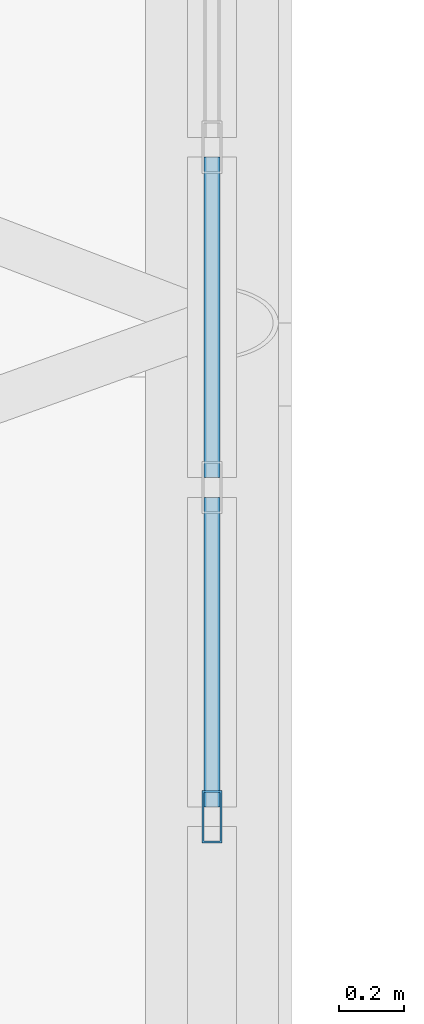
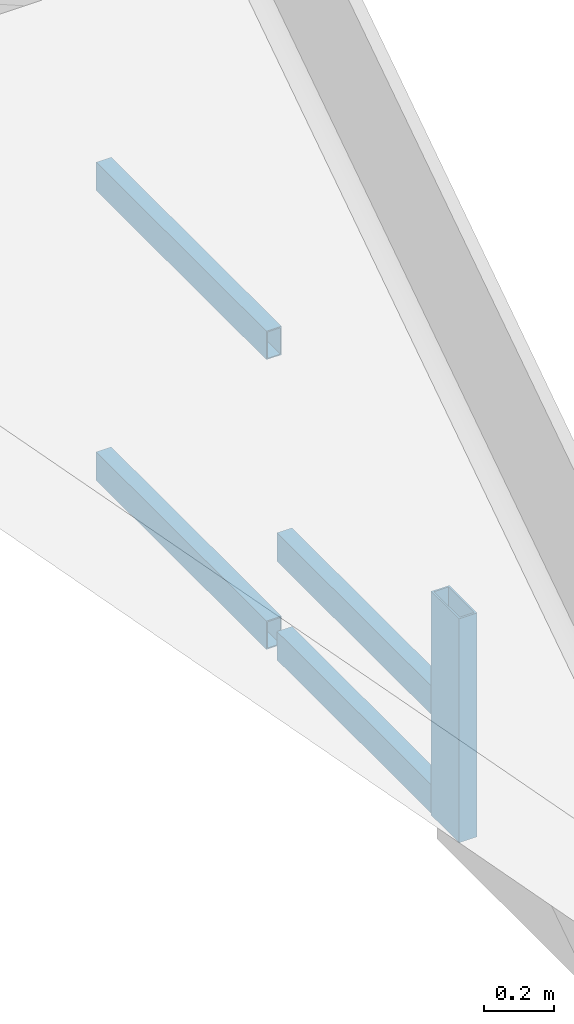
# One storey, part 45 of 77: 5 members, 1 element without a shape of its own.
"""IFC4 building model written with IfcOpenShell, lengths in metres."""

from ifc_helpers import new_model, si_unit, direction, frame, origin, origin_2d, place, context, subcontext, project, spatial, hollow_rectangle, extrude, material, material_profile, profile_set, type_object, element, aggregate, save


model = new_model("IFC4")

# Units and contexts
model_context = context("Model", 3, precision=1e-05, world=origin(), true_north=direction((0.0, 1.0)))
body_context = subcontext(model_context, "Body", "Model", "MODEL_VIEW")
ifc_project = project(units=[si_unit("LENGTHUNIT", "METRE"), si_unit("AREAUNIT", "SQUARE_METRE"), si_unit("VOLUMEUNIT", "CUBIC_METRE"), si_unit("PLANEANGLEUNIT", "RADIAN"), si_unit("MASSUNIT", "GRAM", prefix="KILO")], contexts=[model_context])

# Site, building, storey
site_placement = place(None, origin())
site = spatial("IfcSite", under=ifc_project, at=site_placement, CompositionType="ELEMENT")
building_placement = place(site_placement, origin())
building = spatial("IfcBuilding", under=site, at=building_placement, Name="Catenary Quay Ferry Terminal", CompositionType="ELEMENT")
storey_placement = place(building_placement, frame((0.0, 0.0, 10.800048828125)))
storey = spatial("IfcBuildingStorey", under=building, at=storey_placement, Name="L02", CompositionType="ELEMENT", Elevation=10.800048828125)

# Curtain wall, members
ifc_material_1 = material(Name="Aluminium and glass", Category="aluminium")
curtain_wall_type = type_object("IfcCurtainWallType", Name="CWA", PredefinedType="NOTDEFINED", material=ifc_material_1)
curtain_wall_placement = place(storey_placement, origin())
curtain_wall = element("IfcCurtainWall", 1, at=curtain_wall_placement, inside=storey, type_object=curtain_wall_type, Name="Arch arrivals hall curtain wall CW12", PredefinedType="NOTDEFINED")
ifc_material_2 = material(Name="Aluminium", Category="aluminium")
ifc_material_profile_1 = material_profile(ifc_material_2, hollow_rectangle(XDim=0.06005859375, YDim=0.159912109375, WallThickness=0.006103515625, at=origin_2d()), Name="MU5")
ifc_profile_set_1 = profile_set([ifc_material_profile_1], Name="Aluminium")
member_type_1 = type_object("IfcMemberType", Name="MU5", PredefinedType="MULLION", material=ifc_profile_set_1)
member_1_placement = place(storey_placement, frame((92.39990234375, 68.708984375, 0.0), z_axis=(0.0, 0.0, 1.0), x_axis=(-1.0, 0.0, 0.0)))
member_1 = element("IfcMember", 2, at=member_1_placement, type_object=member_type_1, Name="CW12 mullion 1", PredefinedType="MULLION", context=body_context, shape_type="SweptSolid", body=[
    extrude(hollow_rectangle(XDim=0.06005859375, YDim=0.159912109375, WallThickness=0.006103515625, at=origin_2d()), origin(), (0.0, 0.0, 1.0), 0.786376953125),
])
ifc_material_3 = material(Name="Aluminium", Category="aluminium")
ifc_material_profile_2 = material_profile(ifc_material_3, hollow_rectangle(XDim=0.050048828125, YDim=0.10009765625, WallThickness=0.00390625, at=origin_2d()), Name="TR4")
ifc_profile_set_2 = profile_set([ifc_material_profile_2], Name="Aluminium")
member_type_2 = type_object("IfcMemberType", Name="TR4", PredefinedType="USERDEFINED", material=ifc_profile_set_2)
member_2_placement = place(storey_placement, frame((92.39990234375, 68.739013671875, 0.050048828125), z_axis=(0.0, 1.0, 0.0), x_axis=(-1.0, 0.0, 0.0)))
member_2 = element("IfcMember", 3, at=member_2_placement, type_object=member_type_2, Name="CW12 transom 1.1", ObjectType="TRANSOM", PredefinedType="USERDEFINED", context=body_context, shape_type="SweptSolid", body=[
    extrude(hollow_rectangle(XDim=0.050048828125, YDim=0.10009765625, WallThickness=0.00390625, at=origin_2d()), origin(), (0.0, 0.0, 1.0), 0.946044921875),
])
member_3_placement = place(storey_placement, frame((92.39990234375, 68.739013671875, 0.396484375), z_axis=(0.0, 1.0, 0.0), x_axis=(-1.0, 0.0, 0.0)))
member_3 = element("IfcMember", 4, at=member_3_placement, type_object=member_type_2, Name="CW12 transom 1.2", ObjectType="TRANSOM", PredefinedType="USERDEFINED", context=body_context, shape_type="SweptSolid", body=[
    extrude(hollow_rectangle(XDim=0.050048828125, YDim=0.10009765625, WallThickness=0.00390625, at=origin_2d()), origin(), (0.0, 0.0, 1.0), 0.946044921875),
])
member_4_placement = place(storey_placement, frame((92.39990234375, 69.7451171875, 0.050048828125), z_axis=(0.0, 1.0, 0.0), x_axis=(-1.0, 0.0, 0.0)))
member_4 = element("IfcMember", 5, at=member_4_placement, type_object=member_type_2, Name="CW12 transom 2.1", ObjectType="TRANSOM", PredefinedType="USERDEFINED", context=body_context, shape_type="SweptSolid", body=[
    extrude(hollow_rectangle(XDim=0.050048828125, YDim=0.10009765625, WallThickness=0.00390625, at=origin_2d()), origin(), (0.0, 0.0, 1.0), 0.9794921875),
])
member_5_placement = place(storey_placement, frame((92.39990234375, 69.7451171875, 1.0673828125), z_axis=(0.0, 1.0, 0.0), x_axis=(-1.0, 0.0, 0.0)))
member_5 = element("IfcMember", 6, at=member_5_placement, type_object=member_type_2, Name="CW12 transom 2.2", ObjectType="TRANSOM", PredefinedType="USERDEFINED", context=body_context, shape_type="SweptSolid", body=[
    extrude(hollow_rectangle(XDim=0.050048828125, YDim=0.10009765625, WallThickness=0.00390625, at=origin_2d()), origin(), (0.0, 0.0, 1.0), 0.9794921875),
])
aggregate(curtain_wall, [member_1, member_2, member_3, member_4, member_5])

save(model, "model.ifc")
